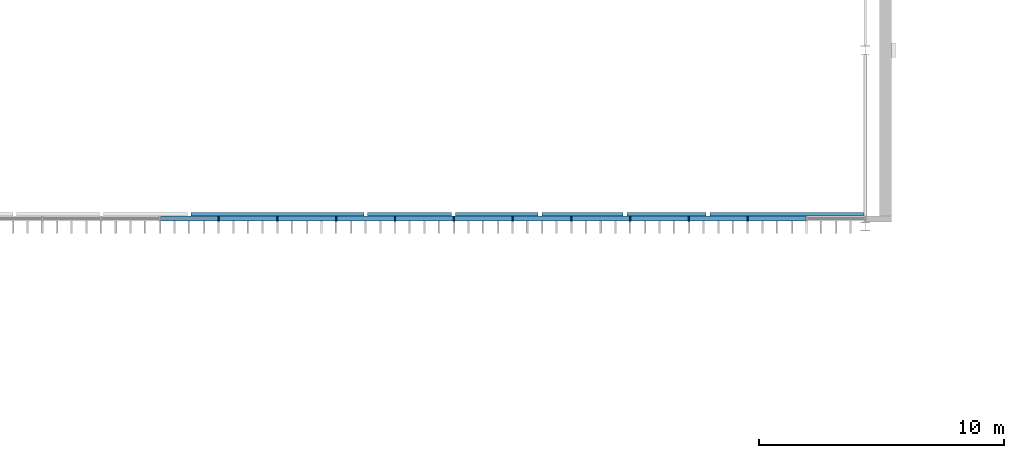
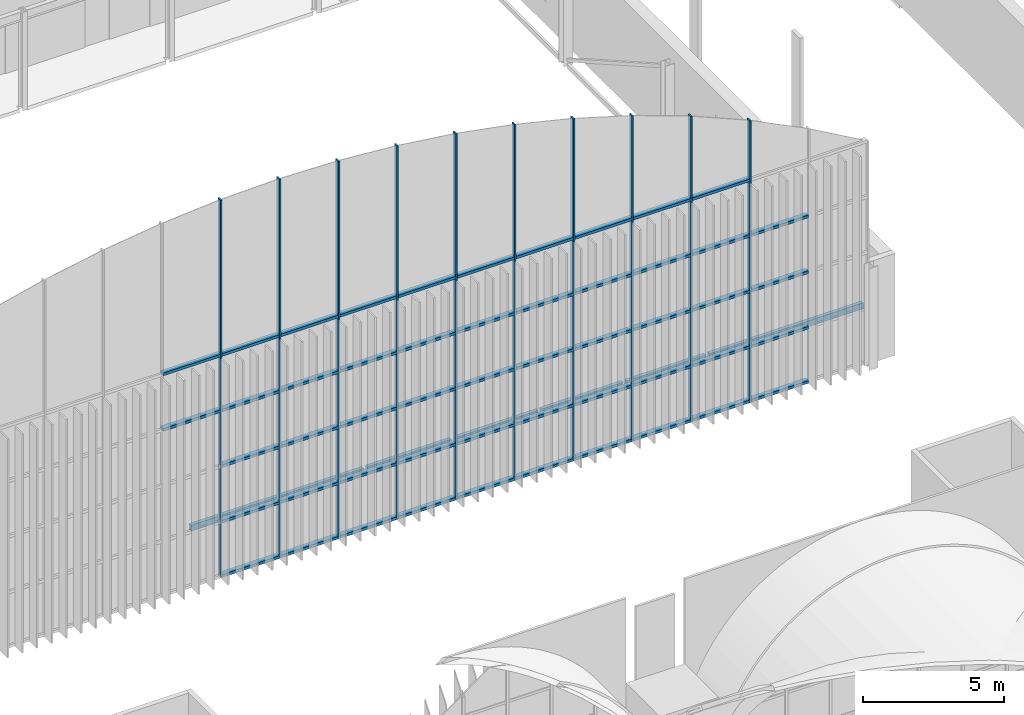
# One storey, part 44 of 169: 61 members, 6 beams, 1 element without a shape of its own.
"""IFC4 building model written with IfcOpenShell, lengths in metres."""

import ifcopenshell
import ifcopenshell.guid

model = None  # the IFC model being written
_history = None  # IfcOwnerHistory: only IFC2X3 demands one
_inside = {}  # id of a spatial element -> (the spatial element, [elements in it])
_under = {}  # id of a project, library or spatial element -> (it, [spatial elements below it])
_declared = {}  # id of a project -> (the project, [libraries it declares])
_typed = {}  # id of a type object -> (the type object, [elements of that type])
_made_of = {}  # id of a material, layer set ... -> (it, [elements and type objects made of it])


def new_model(schema):
    """Start an empty IFC model of exactly this schema.

    Asked for "IFC4X3", IfcOpenShell would pick the latest addendum, in which some entities
    have other attributes; the version numbers below select the first issue.
    IFC2X3 requires an IfcOwnerHistory on every rooted entity: one is made here for all.
    """
    global model, _history
    if schema == "IFC4X3":
        model = ifcopenshell.file(schema_version=(4, 3, 0, 0))
    else:
        model = ifcopenshell.file(schema=schema)
    _inside.clear()
    _under.clear()
    _declared.clear()
    _typed.clear()
    _made_of.clear()
    _history = None
    if model.schema == "IFC2X3":
        org = make("IfcOrganization", Name="unknown")
        user = make(
            "IfcPersonAndOrganization",
            ThePerson=make("IfcPerson", FamilyName="unknown"),
            TheOrganization=org,
        )
        app = make(
            "IfcApplication",
            ApplicationDeveloper=org,
            Version="unknown",
            ApplicationFullName="unknown",
            ApplicationIdentifier="unknown",
        )
        _history = make(
            "IfcOwnerHistory",
            OwningUser=user,
            OwningApplication=app,
            ChangeAction="ADDED",
            CreationDate=0,
        )
    return model


def make(cls, **values):
    """One entity of the class cls with the attributes given. An attribute that is None is left unset."""
    return model.create_entity(
        cls, **{name: value for name, value in values.items() if value is not None}
    )


def rooted(cls, **values):
    """An entity with a GlobalId (a new one), such as an element, a storey or a relation."""
    return make(cls, GlobalId=ifcopenshell.guid.new(), OwnerHistory=_history, **values)


def si_unit(unit_type, name, prefix=None):
    """IfcSIUnit, for example si_unit("LENGTHUNIT", "METRE", prefix="MILLI")."""
    return make("IfcSIUnit", UnitType=unit_type, Prefix=prefix, Name=name)


def assignment(units):
    """IfcUnitAssignment: the units of a project."""
    return None if units is None else make("IfcUnitAssignment", Units=units)


def point(xyz):
    """IfcCartesianPoint."""
    return None if xyz is None else make("IfcCartesianPoint", Coordinates=xyz)


def direction(xyz):
    """IfcDirection."""
    return None if xyz is None else make("IfcDirection", DirectionRatios=xyz)


def frame(location, z_axis=None, x_axis=None):
    """IfcAxis2Placement3D, a coordinate frame: its origin and axes. An axis left out is left unset."""
    return make(
        "IfcAxis2Placement3D",
        Location=point(location),
        Axis=direction(z_axis),
        RefDirection=direction(x_axis),
    )


def frame_2d(location, x_axis=None):
    """IfcAxis2Placement2D, a coordinate frame in the plane: its origin and x axis."""
    return make(
        "IfcAxis2Placement2D", Location=point(location), RefDirection=direction(x_axis)
    )


def origin():
    """The frame at (0, 0, 0) with its axes left unset."""
    return frame((0.0, 0.0, 0.0))


def origin_2d():
    """The frame at (0, 0) in the plane with its x axis left unset."""
    return frame_2d((0.0, 0.0))


def place(relative_to, where):
    """IfcLocalPlacement: puts the frame where relative to a parent placement (None: the world)."""
    return make(
        "IfcLocalPlacement", PlacementRelTo=relative_to, RelativePlacement=where
    )


def context(
    kind, dimensions, precision=None, world=None, true_north=None, identifier=None
):
    """IfcGeometricRepresentationContext, for example the 3D "Model" context."""
    return make(
        "IfcGeometricRepresentationContext",
        ContextIdentifier=identifier,
        ContextType=kind,
        CoordinateSpaceDimension=dimensions,
        Precision=precision,
        WorldCoordinateSystem=world,
        TrueNorth=true_north,
    )


def subcontext(parent, identifier, kind, view, scale=None):
    """IfcGeometricRepresentationSubContext, for example "Body" below "Model"."""
    return make(
        "IfcGeometricRepresentationSubContext",
        ContextIdentifier=identifier,
        ContextType=kind,
        ParentContext=parent,
        TargetScale=scale,
        TargetView=view,
    )


def project(units=None, contexts=None):
    """IfcProject with its units and contexts."""
    return rooted(
        "IfcProject",
        Name="project",
        RepresentationContexts=contexts,
        UnitsInContext=assignment(units),
    )


def spatial(cls, under=None, at=None, **own):
    """A site, building, storey or space (cls), placed at a placement, below another one or the project."""
    s = rooted(cls, ObjectPlacement=at, **own)
    if under is not None:
        _under.setdefault(under.id(), (under, []))[1].append(s)
    return s


def profile(cls, at=None, kind="AREA", **sizes):
    """A parametric profile (cls). Its sizes go by their IFC names, for example OverallWidth=200.0."""
    return make(cls, ProfileType=kind, Position=at, **sizes)


def rectangle(**sizes):
    """IfcRectangleProfileDef."""
    return profile("IfcRectangleProfileDef", **sizes)


def hollow_rectangle(**sizes):
    """IfcRectangleHollowProfileDef."""
    return profile("IfcRectangleHollowProfileDef", **sizes)


def extrude(swept, where, along, depth):
    """IfcExtrudedAreaSolid: the profile swept, set in the frame where, extruded along a direction by depth."""
    return make(
        "IfcExtrudedAreaSolid",
        SweptArea=swept,
        Position=where,
        ExtrudedDirection=direction(along),
        Depth=depth,
    )


def shape(context_of_items, identifier, shape_type, items):
    """IfcShapeRepresentation: the items that make up one representation, for example the "Body"."""
    return make(
        "IfcShapeRepresentation",
        ContextOfItems=context_of_items,
        RepresentationIdentifier=identifier,
        RepresentationType=shape_type,
        Items=items,
    )


def material(Name=None, Category=None):
    """IfcMaterial."""
    return make("IfcMaterial", Name=Name, Category=Category)


def layer(
    of_material, thickness, ventilated=None, Name=None, Category=None, Priority=None
):
    """IfcMaterialLayer: one layer of a wall or slab, of a material (None: an air gap)."""
    return make(
        "IfcMaterialLayer",
        Material=of_material,
        LayerThickness=thickness,
        IsVentilated=ventilated,
        Name=Name,
        Category=Category,
        Priority=Priority,
    )


def layer_set(layers, Name=None):
    """IfcMaterialLayerSet."""
    return make("IfcMaterialLayerSet", MaterialLayers=layers, LayerSetName=Name)


def material_profile(
    of_material, cross_section, Name=None, Category=None, Priority=None
):
    """IfcMaterialProfile: a cross section and its material."""
    return make(
        "IfcMaterialProfile",
        Name=Name,
        Material=of_material,
        Profile=cross_section,
        Priority=Priority,
        Category=Category,
    )


def profile_set(profiles, Name=None, composite=None):
    """IfcMaterialProfileSet."""
    return make(
        "IfcMaterialProfileSet",
        Name=Name,
        MaterialProfiles=profiles,
        CompositeProfile=composite,
    )


def made_of(thing, what):
    """Note that an element or type object is made of a material, layer set ...; save() writes the relation."""
    if what is not None:
        _made_of.setdefault(what.id(), (what, []))[1].append(thing)
    return thing


def type_object(cls, material=None, **own):
    """A type object (cls), such as IfcWallType, which elements share."""
    return made_of(rooted(cls, **own), material)


def element(
    cls,
    number,
    at=None,
    inside=None,
    cuts=None,
    type_object=None,
    material=None,
    context=None,
    identifier="Body",
    shape_type=None,
    held_by="IfcProductDefinitionShape",
    body=None,
    shapes=None,
    **own,
):
    """One element of the class cls, such as IfcWall. Its Tag is "e" and its number.

    at: its placement. inside: the storey or other place that contains it. cuts: it is an
    opening in that element (IfcRelVoidsElement). A single representation is given by context,
    identifier, shape_type and body (its items); several are given by shapes. held_by: the class
    of the entity that holds the representations. save() writes the other relations.
    """
    e = rooted(cls, Tag="e%d" % number, ObjectPlacement=at, **own)
    if body is not None:
        shapes = [shape(context, identifier, shape_type, body)]
    if shapes is not None:
        e.Representation = make(held_by, Representations=shapes)
    if inside is not None:
        _inside.setdefault(inside.id(), (inside, []))[1].append(e)
    if cuts is not None:
        rooted(
            "IfcRelVoidsElement", RelatingBuildingElement=cuts, RelatedOpeningElement=e
        )
    if type_object is not None:
        _typed.setdefault(type_object.id(), (type_object, []))[1].append(e)
    return made_of(e, material)


def aggregate(whole, parts):
    """IfcRelAggregates: a whole, such as a stair, and the parts it consists of."""
    return rooted("IfcRelAggregates", RelatingObject=whole, RelatedObjects=parts)


def save(model, path):
    """Write the relations noted so far, then the file.

    IfcRelAggregates (storeys below a building ...), IfcRelContainedInSpatialStructure (elements
    in a storey), IfcRelDefinesByType, IfcRelAssociatesMaterial and IfcRelDeclares: one each for
    every whole, place, type object, material and project.
    """
    for whole, parts in _under.values():
        aggregate(whole, parts)
    for where, things in _inside.values():
        rooted(
            "IfcRelContainedInSpatialStructure",
            RelatedElements=things,
            RelatingStructure=where,
        )
    for kind, things in _typed.values():
        rooted("IfcRelDefinesByType", RelatedObjects=things, RelatingType=kind)
    for what, things in _made_of.values():
        rooted("IfcRelAssociatesMaterial", RelatedObjects=things, RelatingMaterial=what)
    for by, libraries in _declared.values():
        rooted("IfcRelDeclares", RelatingContext=by, RelatedDefinitions=libraries)
    model.write(path)


model = new_model("IFC4")

# Units and contexts
model_context = context("Model", 3, precision=1e-05, world=origin(), true_north=direction((0.0, 1.0)))
body_context = subcontext(model_context, "Body", "Model", "MODEL_VIEW")
ifc_project = project(units=[si_unit("LENGTHUNIT", "METRE"), si_unit("AREAUNIT", "SQUARE_METRE"), si_unit("VOLUMEUNIT", "CUBIC_METRE"), si_unit("PLANEANGLEUNIT", "RADIAN"), si_unit("MASSUNIT", "GRAM", prefix="KILO")], contexts=[model_context])

# Site, building, storey
site_placement = place(None, origin())
site = spatial("IfcSite", under=ifc_project, at=site_placement, CompositionType="ELEMENT")
building_placement = place(site_placement, origin())
building = spatial("IfcBuilding", under=site, at=building_placement, Name="Verrick Yard Athletic Hall", CompositionType="ELEMENT")
storey_placement = place(building_placement, frame((0.0, 0.0, 4.39990234375)))
storey = spatial("IfcBuildingStorey", under=building, at=storey_placement, Name="L01", CompositionType="ELEMENT", Elevation=4.39990234375)

# Curtain wall, members
ifc_material_1 = material(Name="Anodised aluminium", Category="aluminium")
ifc_layer = layer(ifc_material_1, 0.199951171875)
ifc_layer_set = layer_set([ifc_layer], Name="Gable glazing")
curtain_wall_type = type_object("IfcCurtainWallType", Name="Gable glazing", PredefinedType="NOTDEFINED", material=ifc_layer_set)
curtain_wall_placement = place(storey_placement, origin())
curtain_wall = element("IfcCurtainWall", 1, at=curtain_wall_placement, inside=storey, type_object=curtain_wall_type, Name="Gable curtain wall BS", PredefinedType="NOTDEFINED")
ifc_material_profile_1 = material_profile(ifc_material_1, rectangle(XDim=0.199951171875, YDim=0.06005859375, at=origin_2d()), Name="CW gable mullion 60x200")
ifc_profile_set_1 = profile_set([ifc_material_profile_1], Name="Anodised aluminium")
member_type_1 = type_object("IfcMemberType", Name="Gable glazing mullion 60x200", PredefinedType="MULLION", material=ifc_profile_set_1)
member_1_placement = place(storey_placement, frame((49.60009765625, 72.318359375, 0.0), z_axis=(0.0, 0.0, 1.0), x_axis=(0.0, 1.0, 0.0)))
member_1 = element("IfcMember", 2, at=member_1_placement, type_object=member_type_1, Name="ENVB-HBS-CW/M09", PredefinedType="MULLION", context=body_context, shape_type="SweptSolid", body=[
    extrude(rectangle(XDim=0.199951171875, YDim=0.06005859375, at=origin_2d()), origin(), (0.0, 0.0, 1.0), 16.294677734375),
])
member_2_placement = place(storey_placement, frame((52.0, 72.318359375, 0.0), z_axis=(0.0, 0.0, 1.0), x_axis=(0.0, 1.0, 0.0)))
member_2 = element("IfcMember", 3, at=member_2_placement, type_object=member_type_1, Name="ENVB-HBS-CW/M10", PredefinedType="MULLION", context=body_context, shape_type="SweptSolid", body=[
    extrude(rectangle(XDim=0.199951171875, YDim=0.06005859375, at=origin_2d()), origin(), (0.0, 0.0, 1.0), 16.357177734375),
])
member_3_placement = place(storey_placement, frame((54.39990234375, 72.318359375, 0.0), z_axis=(0.0, 0.0, 1.0), x_axis=(0.0, 1.0, 0.0)))
member_3 = element("IfcMember", 4, at=member_3_placement, type_object=member_type_1, Name="ENVB-HBS-CW/M11", PredefinedType="MULLION", context=body_context, shape_type="SweptSolid", body=[
    extrude(rectangle(XDim=0.199951171875, YDim=0.06005859375, at=origin_2d()), origin(), (0.0, 0.0, 1.0), 16.294677734375),
])
member_4_placement = place(storey_placement, frame((56.800048828125, 72.318359375, 0.0), z_axis=(0.0, 0.0, 1.0), x_axis=(0.0, 1.0, 0.0)))
member_4 = element("IfcMember", 5, at=member_4_placement, type_object=member_type_1, Name="ENVB-HBS-CW/M12", PredefinedType="MULLION", context=body_context, shape_type="SweptSolid", body=[
    extrude(rectangle(XDim=0.199951171875, YDim=0.06005859375, at=origin_2d()), origin(), (0.0, 0.0, 1.0), 16.106201171875),
])
member_5_placement = place(storey_placement, frame((59.199951171875, 72.318359375, 0.0), z_axis=(0.0, 0.0, 1.0), x_axis=(0.0, 1.0, 0.0)))
member_5 = element("IfcMember", 6, at=member_5_placement, type_object=member_type_1, Name="ENVB-HBS-CW/M13", PredefinedType="MULLION", context=body_context, shape_type="SweptSolid", body=[
    extrude(rectangle(XDim=0.199951171875, YDim=0.06005859375, at=origin_2d()), origin(), (0.0, 0.0, 1.0), 15.790283203125),
])
member_6_placement = place(storey_placement, frame((61.60009765625, 72.318359375, 0.0), z_axis=(0.0, 0.0, 1.0), x_axis=(0.0, 1.0, 0.0)))
member_6 = element("IfcMember", 7, at=member_6_placement, type_object=member_type_1, Name="ENVB-HBS-CW/M14", PredefinedType="MULLION", context=body_context, shape_type="SweptSolid", body=[
    extrude(rectangle(XDim=0.199951171875, YDim=0.06005859375, at=origin_2d()), origin(), (0.0, 0.0, 1.0), 15.344482421875),
])
member_7_placement = place(storey_placement, frame((64.0, 72.318359375, 0.0), z_axis=(0.0, 0.0, 1.0), x_axis=(0.0, 1.0, 0.0)))
member_7 = element("IfcMember", 8, at=member_7_placement, type_object=member_type_1, Name="ENVB-HBS-CW/M15", PredefinedType="MULLION", context=body_context, shape_type="SweptSolid", body=[
    extrude(rectangle(XDim=0.199951171875, YDim=0.06005859375, at=origin_2d()), origin(), (0.0, 0.0, 1.0), 14.764404296875),
])
member_8_placement = place(storey_placement, frame((66.39990234375, 72.318359375, 0.0), z_axis=(0.0, 0.0, 1.0), x_axis=(0.0, 1.0, 0.0)))
member_8 = element("IfcMember", 9, at=member_8_placement, type_object=member_type_1, Name="ENVB-HBS-CW/M16", PredefinedType="MULLION", context=body_context, shape_type="SweptSolid", body=[
    extrude(rectangle(XDim=0.199951171875, YDim=0.06005859375, at=origin_2d()), origin(), (0.0, 0.0, 1.0), 14.045166015625),
])
member_9_placement = place(storey_placement, frame((68.800048828125, 72.318359375, 0.0), z_axis=(0.0, 0.0, 1.0), x_axis=(0.0, 1.0, 0.0)))
member_9 = element("IfcMember", 10, at=member_9_placement, type_object=member_type_1, Name="ENVB-HBS-CW/M17", PredefinedType="MULLION", context=body_context, shape_type="SweptSolid", body=[
    extrude(rectangle(XDim=0.199951171875, YDim=0.06005859375, at=origin_2d()), origin(), (0.0, 0.0, 1.0), 13.1796875),
])
member_10_placement = place(storey_placement, frame((71.199951171875, 72.318359375, 0.0), z_axis=(0.0, 0.0, 1.0), x_axis=(0.0, 1.0, 0.0)))
member_10 = element("IfcMember", 11, at=member_10_placement, type_object=member_type_1, Name="ENVB-HBS-CW/M18", PredefinedType="MULLION", context=body_context, shape_type="SweptSolid", body=[
    extrude(rectangle(XDim=0.199951171875, YDim=0.06005859375, at=origin_2d()), origin(), (0.0, 0.0, 1.0), 12.15869140625),
])
ifc_material_profile_2 = material_profile(ifc_material_1, rectangle(XDim=0.199951171875, YDim=0.1201171875, at=origin_2d()), Name="CW gable transom 200x120")
ifc_profile_set_2 = profile_set([ifc_material_profile_2], Name="Anodised aluminium")
member_type_2 = type_object("IfcMemberType", Name="Gable glazing transom 200x120", PredefinedType="USERDEFINED", material=ifc_profile_set_2)
member_11_placement = place(storey_placement, frame((47.22998046875, 72.318359375, 7.2001953125), z_axis=(1.0, 0.0, 0.0), x_axis=(0.0, 1.0, 0.0)))
member_11 = element("IfcMember", 12, at=member_11_placement, type_object=member_type_2, Name="ENVB-HBS-CW/T08-03", ObjectType="TRANSOM", PredefinedType="USERDEFINED", context=body_context, shape_type="SweptSolid", body=[
    extrude(rectangle(XDim=0.199951171875, YDim=0.1201171875, at=origin_2d()), origin(), (0.0, 0.0, 1.0), 2.340087890625),
])
member_12_placement = place(storey_placement, frame((47.22998046875, 72.318359375, 9.60009765625), z_axis=(1.0, 0.0, 0.0), x_axis=(0.0, 1.0, 0.0)))
member_12 = element("IfcMember", 13, at=member_12_placement, type_object=member_type_2, Name="ENVB-HBS-CW/T08-04", ObjectType="TRANSOM", PredefinedType="USERDEFINED", context=body_context, shape_type="SweptSolid", body=[
    extrude(rectangle(XDim=0.199951171875, YDim=0.1201171875, at=origin_2d()), origin(), (0.0, 0.0, 1.0), 2.340087890625),
])
member_13_placement = place(storey_placement, frame((49.6298828125, 72.318359375, 0.06005859375), z_axis=(1.0, 0.0, 0.0), x_axis=(0.0, 1.0, 0.0)))
member_13 = element("IfcMember", 14, at=member_13_placement, type_object=member_type_2, Name="ENVB-HBS-CW/T09-00", ObjectType="TRANSOM", PredefinedType="USERDEFINED", context=body_context, shape_type="SweptSolid", body=[
    extrude(rectangle(XDim=0.199951171875, YDim=0.1201171875, at=origin_2d()), origin(), (0.0, 0.0, 1.0), 2.340087890625),
])
member_14_placement = place(storey_placement, frame((49.6298828125, 72.318359375, 2.400146484375), z_axis=(1.0, 0.0, 0.0), x_axis=(0.0, 1.0, 0.0)))
member_14 = element("IfcMember", 15, at=member_14_placement, type_object=member_type_2, Name="ENVB-HBS-CW/T09-01", ObjectType="TRANSOM", PredefinedType="USERDEFINED", context=body_context, shape_type="SweptSolid", body=[
    extrude(rectangle(XDim=0.199951171875, YDim=0.1201171875, at=origin_2d()), origin(), (0.0, 0.0, 1.0), 2.340087890625),
])
member_15_placement = place(storey_placement, frame((49.6298828125, 72.318359375, 4.800048828125), z_axis=(1.0, 0.0, 0.0), x_axis=(0.0, 1.0, 0.0)))
member_15 = element("IfcMember", 16, at=member_15_placement, type_object=member_type_2, Name="ENVB-HBS-CW/T09-02", ObjectType="TRANSOM", PredefinedType="USERDEFINED", context=body_context, shape_type="SweptSolid", body=[
    extrude(rectangle(XDim=0.199951171875, YDim=0.1201171875, at=origin_2d()), origin(), (0.0, 0.0, 1.0), 2.340087890625),
])
member_16_placement = place(storey_placement, frame((49.6298828125, 72.318359375, 7.2001953125), z_axis=(1.0, 0.0, 0.0), x_axis=(0.0, 1.0, 0.0)))
member_16 = element("IfcMember", 17, at=member_16_placement, type_object=member_type_2, Name="ENVB-HBS-CW/T09-03", ObjectType="TRANSOM", PredefinedType="USERDEFINED", context=body_context, shape_type="SweptSolid", body=[
    extrude(rectangle(XDim=0.199951171875, YDim=0.1201171875, at=origin_2d()), origin(), (0.0, 0.0, 1.0), 2.340087890625),
])
member_17_placement = place(storey_placement, frame((49.6298828125, 72.318359375, 9.60009765625), z_axis=(1.0, 0.0, 0.0), x_axis=(0.0, 1.0, 0.0)))
member_17 = element("IfcMember", 18, at=member_17_placement, type_object=member_type_2, Name="ENVB-HBS-CW/T09-04", ObjectType="TRANSOM", PredefinedType="USERDEFINED", context=body_context, shape_type="SweptSolid", body=[
    extrude(rectangle(XDim=0.199951171875, YDim=0.1201171875, at=origin_2d()), origin(), (0.0, 0.0, 1.0), 2.340087890625),
])
member_18_placement = place(storey_placement, frame((52.030029296875, 72.318359375, 0.06005859375), z_axis=(1.0, 0.0, 0.0), x_axis=(0.0, 1.0, 0.0)))
member_18 = element("IfcMember", 19, at=member_18_placement, type_object=member_type_2, Name="ENVB-HBS-CW/T10-00", ObjectType="TRANSOM", PredefinedType="USERDEFINED", context=body_context, shape_type="SweptSolid", body=[
    extrude(rectangle(XDim=0.199951171875, YDim=0.1201171875, at=origin_2d()), origin(), (0.0, 0.0, 1.0), 2.340087890625),
])
member_19_placement = place(storey_placement, frame((52.030029296875, 72.318359375, 2.400146484375), z_axis=(1.0, 0.0, 0.0), x_axis=(0.0, 1.0, 0.0)))
member_19 = element("IfcMember", 20, at=member_19_placement, type_object=member_type_2, Name="ENVB-HBS-CW/T10-01", ObjectType="TRANSOM", PredefinedType="USERDEFINED", context=body_context, shape_type="SweptSolid", body=[
    extrude(rectangle(XDim=0.199951171875, YDim=0.1201171875, at=origin_2d()), origin(), (0.0, 0.0, 1.0), 2.340087890625),
])
member_20_placement = place(storey_placement, frame((52.030029296875, 72.318359375, 4.800048828125), z_axis=(1.0, 0.0, 0.0), x_axis=(0.0, 1.0, 0.0)))
member_20 = element("IfcMember", 21, at=member_20_placement, type_object=member_type_2, Name="ENVB-HBS-CW/T10-02", ObjectType="TRANSOM", PredefinedType="USERDEFINED", context=body_context, shape_type="SweptSolid", body=[
    extrude(rectangle(XDim=0.199951171875, YDim=0.1201171875, at=origin_2d()), origin(), (0.0, 0.0, 1.0), 2.340087890625),
])
member_21_placement = place(storey_placement, frame((52.030029296875, 72.318359375, 7.2001953125), z_axis=(1.0, 0.0, 0.0), x_axis=(0.0, 1.0, 0.0)))
member_21 = element("IfcMember", 22, at=member_21_placement, type_object=member_type_2, Name="ENVB-HBS-CW/T10-03", ObjectType="TRANSOM", PredefinedType="USERDEFINED", context=body_context, shape_type="SweptSolid", body=[
    extrude(rectangle(XDim=0.199951171875, YDim=0.1201171875, at=origin_2d()), origin(), (0.0, 0.0, 1.0), 2.340087890625),
])
member_22_placement = place(storey_placement, frame((52.030029296875, 72.318359375, 9.60009765625), z_axis=(1.0, 0.0, 0.0), x_axis=(0.0, 1.0, 0.0)))
member_22 = element("IfcMember", 23, at=member_22_placement, type_object=member_type_2, Name="ENVB-HBS-CW/T10-04", ObjectType="TRANSOM", PredefinedType="USERDEFINED", context=body_context, shape_type="SweptSolid", body=[
    extrude(rectangle(XDim=0.199951171875, YDim=0.1201171875, at=origin_2d()), origin(), (0.0, 0.0, 1.0), 2.340087890625),
])
member_23_placement = place(storey_placement, frame((54.429931640625, 72.318359375, 0.06005859375), z_axis=(1.0, 0.0, 0.0), x_axis=(0.0, 1.0, 0.0)))
member_23 = element("IfcMember", 24, at=member_23_placement, type_object=member_type_2, Name="ENVB-HBS-CW/T11-00", ObjectType="TRANSOM", PredefinedType="USERDEFINED", context=body_context, shape_type="SweptSolid", body=[
    extrude(rectangle(XDim=0.199951171875, YDim=0.1201171875, at=origin_2d()), origin(), (0.0, 0.0, 1.0), 2.340087890625),
])
member_24_placement = place(storey_placement, frame((54.429931640625, 72.318359375, 2.400146484375), z_axis=(1.0, 0.0, 0.0), x_axis=(0.0, 1.0, 0.0)))
member_24 = element("IfcMember", 25, at=member_24_placement, type_object=member_type_2, Name="ENVB-HBS-CW/T11-01", ObjectType="TRANSOM", PredefinedType="USERDEFINED", context=body_context, shape_type="SweptSolid", body=[
    extrude(rectangle(XDim=0.199951171875, YDim=0.1201171875, at=origin_2d()), origin(), (0.0, 0.0, 1.0), 2.340087890625),
])
member_25_placement = place(storey_placement, frame((54.429931640625, 72.318359375, 4.800048828125), z_axis=(1.0, 0.0, 0.0), x_axis=(0.0, 1.0, 0.0)))
member_25 = element("IfcMember", 26, at=member_25_placement, type_object=member_type_2, Name="ENVB-HBS-CW/T11-02", ObjectType="TRANSOM", PredefinedType="USERDEFINED", context=body_context, shape_type="SweptSolid", body=[
    extrude(rectangle(XDim=0.199951171875, YDim=0.1201171875, at=origin_2d()), origin(), (0.0, 0.0, 1.0), 2.340087890625),
])
member_26_placement = place(storey_placement, frame((54.429931640625, 72.318359375, 7.2001953125), z_axis=(1.0, 0.0, 0.0), x_axis=(0.0, 1.0, 0.0)))
member_26 = element("IfcMember", 27, at=member_26_placement, type_object=member_type_2, Name="ENVB-HBS-CW/T11-03", ObjectType="TRANSOM", PredefinedType="USERDEFINED", context=body_context, shape_type="SweptSolid", body=[
    extrude(rectangle(XDim=0.199951171875, YDim=0.1201171875, at=origin_2d()), origin(), (0.0, 0.0, 1.0), 2.340087890625),
])
member_27_placement = place(storey_placement, frame((54.429931640625, 72.318359375, 9.60009765625), z_axis=(1.0, 0.0, 0.0), x_axis=(0.0, 1.0, 0.0)))
member_27 = element("IfcMember", 28, at=member_27_placement, type_object=member_type_2, Name="ENVB-HBS-CW/T11-04", ObjectType="TRANSOM", PredefinedType="USERDEFINED", context=body_context, shape_type="SweptSolid", body=[
    extrude(rectangle(XDim=0.199951171875, YDim=0.1201171875, at=origin_2d()), origin(), (0.0, 0.0, 1.0), 2.340087890625),
])
member_28_placement = place(storey_placement, frame((56.830078125, 72.318359375, 0.06005859375), z_axis=(1.0, 0.0, 0.0), x_axis=(0.0, 1.0, 0.0)))
member_28 = element("IfcMember", 29, at=member_28_placement, type_object=member_type_2, Name="ENVB-HBS-CW/T12-00", ObjectType="TRANSOM", PredefinedType="USERDEFINED", context=body_context, shape_type="SweptSolid", body=[
    extrude(rectangle(XDim=0.199951171875, YDim=0.1201171875, at=origin_2d()), origin(), (0.0, 0.0, 1.0), 2.33984375),
])
member_29_placement = place(storey_placement, frame((56.830078125, 72.318359375, 2.400146484375), z_axis=(1.0, 0.0, 0.0), x_axis=(0.0, 1.0, 0.0)))
member_29 = element("IfcMember", 30, at=member_29_placement, type_object=member_type_2, Name="ENVB-HBS-CW/T12-01", ObjectType="TRANSOM", PredefinedType="USERDEFINED", context=body_context, shape_type="SweptSolid", body=[
    extrude(rectangle(XDim=0.199951171875, YDim=0.1201171875, at=origin_2d()), origin(), (0.0, 0.0, 1.0), 2.33984375),
])
member_30_placement = place(storey_placement, frame((56.830078125, 72.318359375, 4.800048828125), z_axis=(1.0, 0.0, 0.0), x_axis=(0.0, 1.0, 0.0)))
member_30 = element("IfcMember", 31, at=member_30_placement, type_object=member_type_2, Name="ENVB-HBS-CW/T12-02", ObjectType="TRANSOM", PredefinedType="USERDEFINED", context=body_context, shape_type="SweptSolid", body=[
    extrude(rectangle(XDim=0.199951171875, YDim=0.1201171875, at=origin_2d()), origin(), (0.0, 0.0, 1.0), 2.33984375),
])
member_31_placement = place(storey_placement, frame((56.830078125, 72.318359375, 7.2001953125), z_axis=(1.0, 0.0, 0.0), x_axis=(0.0, 1.0, 0.0)))
member_31 = element("IfcMember", 32, at=member_31_placement, type_object=member_type_2, Name="ENVB-HBS-CW/T12-03", ObjectType="TRANSOM", PredefinedType="USERDEFINED", context=body_context, shape_type="SweptSolid", body=[
    extrude(rectangle(XDim=0.199951171875, YDim=0.1201171875, at=origin_2d()), origin(), (0.0, 0.0, 1.0), 2.33984375),
])
member_32_placement = place(storey_placement, frame((56.830078125, 72.318359375, 9.60009765625), z_axis=(1.0, 0.0, 0.0), x_axis=(0.0, 1.0, 0.0)))
member_32 = element("IfcMember", 33, at=member_32_placement, type_object=member_type_2, Name="ENVB-HBS-CW/T12-04", ObjectType="TRANSOM", PredefinedType="USERDEFINED", context=body_context, shape_type="SweptSolid", body=[
    extrude(rectangle(XDim=0.199951171875, YDim=0.1201171875, at=origin_2d()), origin(), (0.0, 0.0, 1.0), 2.33984375),
])
member_33_placement = place(storey_placement, frame((59.22998046875, 72.318359375, 0.06005859375), z_axis=(1.0, 0.0, 0.0), x_axis=(0.0, 1.0, 0.0)))
member_33 = element("IfcMember", 34, at=member_33_placement, type_object=member_type_2, Name="ENVB-HBS-CW/T13-00", ObjectType="TRANSOM", PredefinedType="USERDEFINED", context=body_context, shape_type="SweptSolid", body=[
    extrude(rectangle(XDim=0.199951171875, YDim=0.1201171875, at=origin_2d()), origin(), (0.0, 0.0, 1.0), 2.340087890625),
])
member_34_placement = place(storey_placement, frame((59.22998046875, 72.318359375, 2.400146484375), z_axis=(1.0, 0.0, 0.0), x_axis=(0.0, 1.0, 0.0)))
member_34 = element("IfcMember", 35, at=member_34_placement, type_object=member_type_2, Name="ENVB-HBS-CW/T13-01", ObjectType="TRANSOM", PredefinedType="USERDEFINED", context=body_context, shape_type="SweptSolid", body=[
    extrude(rectangle(XDim=0.199951171875, YDim=0.1201171875, at=origin_2d()), origin(), (0.0, 0.0, 1.0), 2.340087890625),
])
member_35_placement = place(storey_placement, frame((59.22998046875, 72.318359375, 4.800048828125), z_axis=(1.0, 0.0, 0.0), x_axis=(0.0, 1.0, 0.0)))
member_35 = element("IfcMember", 36, at=member_35_placement, type_object=member_type_2, Name="ENVB-HBS-CW/T13-02", ObjectType="TRANSOM", PredefinedType="USERDEFINED", context=body_context, shape_type="SweptSolid", body=[
    extrude(rectangle(XDim=0.199951171875, YDim=0.1201171875, at=origin_2d()), origin(), (0.0, 0.0, 1.0), 2.340087890625),
])
member_36_placement = place(storey_placement, frame((59.22998046875, 72.318359375, 7.2001953125), z_axis=(1.0, 0.0, 0.0), x_axis=(0.0, 1.0, 0.0)))
member_36 = element("IfcMember", 37, at=member_36_placement, type_object=member_type_2, Name="ENVB-HBS-CW/T13-03", ObjectType="TRANSOM", PredefinedType="USERDEFINED", context=body_context, shape_type="SweptSolid", body=[
    extrude(rectangle(XDim=0.199951171875, YDim=0.1201171875, at=origin_2d()), origin(), (0.0, 0.0, 1.0), 2.340087890625),
])
member_37_placement = place(storey_placement, frame((59.22998046875, 72.318359375, 9.60009765625), z_axis=(1.0, 0.0, 0.0), x_axis=(0.0, 1.0, 0.0)))
member_37 = element("IfcMember", 38, at=member_37_placement, type_object=member_type_2, Name="ENVB-HBS-CW/T13-04", ObjectType="TRANSOM", PredefinedType="USERDEFINED", context=body_context, shape_type="SweptSolid", body=[
    extrude(rectangle(XDim=0.199951171875, YDim=0.1201171875, at=origin_2d()), origin(), (0.0, 0.0, 1.0), 2.340087890625),
])
member_38_placement = place(storey_placement, frame((61.6298828125, 72.318359375, 0.06005859375), z_axis=(1.0, 0.0, 0.0), x_axis=(0.0, 1.0, 0.0)))
member_38 = element("IfcMember", 39, at=member_38_placement, type_object=member_type_2, Name="ENVB-HBS-CW/T14-00", ObjectType="TRANSOM", PredefinedType="USERDEFINED", context=body_context, shape_type="SweptSolid", body=[
    extrude(rectangle(XDim=0.199951171875, YDim=0.1201171875, at=origin_2d()), origin(), (0.0, 0.0, 1.0), 2.340087890625),
])
member_39_placement = place(storey_placement, frame((61.6298828125, 72.318359375, 2.400146484375), z_axis=(1.0, 0.0, 0.0), x_axis=(0.0, 1.0, 0.0)))
member_39 = element("IfcMember", 40, at=member_39_placement, type_object=member_type_2, Name="ENVB-HBS-CW/T14-01", ObjectType="TRANSOM", PredefinedType="USERDEFINED", context=body_context, shape_type="SweptSolid", body=[
    extrude(rectangle(XDim=0.199951171875, YDim=0.1201171875, at=origin_2d()), origin(), (0.0, 0.0, 1.0), 2.340087890625),
])
member_40_placement = place(storey_placement, frame((61.6298828125, 72.318359375, 4.800048828125), z_axis=(1.0, 0.0, 0.0), x_axis=(0.0, 1.0, 0.0)))
member_40 = element("IfcMember", 41, at=member_40_placement, type_object=member_type_2, Name="ENVB-HBS-CW/T14-02", ObjectType="TRANSOM", PredefinedType="USERDEFINED", context=body_context, shape_type="SweptSolid", body=[
    extrude(rectangle(XDim=0.199951171875, YDim=0.1201171875, at=origin_2d()), origin(), (0.0, 0.0, 1.0), 2.340087890625),
])
member_41_placement = place(storey_placement, frame((61.6298828125, 72.318359375, 7.2001953125), z_axis=(1.0, 0.0, 0.0), x_axis=(0.0, 1.0, 0.0)))
member_41 = element("IfcMember", 42, at=member_41_placement, type_object=member_type_2, Name="ENVB-HBS-CW/T14-03", ObjectType="TRANSOM", PredefinedType="USERDEFINED", context=body_context, shape_type="SweptSolid", body=[
    extrude(rectangle(XDim=0.199951171875, YDim=0.1201171875, at=origin_2d()), origin(), (0.0, 0.0, 1.0), 2.340087890625),
])
member_42_placement = place(storey_placement, frame((61.6298828125, 72.318359375, 9.60009765625), z_axis=(1.0, 0.0, 0.0), x_axis=(0.0, 1.0, 0.0)))
member_42 = element("IfcMember", 43, at=member_42_placement, type_object=member_type_2, Name="ENVB-HBS-CW/T14-04", ObjectType="TRANSOM", PredefinedType="USERDEFINED", context=body_context, shape_type="SweptSolid", body=[
    extrude(rectangle(XDim=0.199951171875, YDim=0.1201171875, at=origin_2d()), origin(), (0.0, 0.0, 1.0), 2.340087890625),
])
member_43_placement = place(storey_placement, frame((64.030029296875, 72.318359375, 0.06005859375), z_axis=(1.0, 0.0, 0.0), x_axis=(0.0, 1.0, 0.0)))
member_43 = element("IfcMember", 44, at=member_43_placement, type_object=member_type_2, Name="ENVB-HBS-CW/T15-00", ObjectType="TRANSOM", PredefinedType="USERDEFINED", context=body_context, shape_type="SweptSolid", body=[
    extrude(rectangle(XDim=0.199951171875, YDim=0.1201171875, at=origin_2d()), origin(), (0.0, 0.0, 1.0), 2.340087890625),
])
member_44_placement = place(storey_placement, frame((64.030029296875, 72.318359375, 2.400146484375), z_axis=(1.0, 0.0, 0.0), x_axis=(0.0, 1.0, 0.0)))
member_44 = element("IfcMember", 45, at=member_44_placement, type_object=member_type_2, Name="ENVB-HBS-CW/T15-01", ObjectType="TRANSOM", PredefinedType="USERDEFINED", context=body_context, shape_type="SweptSolid", body=[
    extrude(rectangle(XDim=0.199951171875, YDim=0.1201171875, at=origin_2d()), origin(), (0.0, 0.0, 1.0), 2.340087890625),
])
member_45_placement = place(storey_placement, frame((64.030029296875, 72.318359375, 4.800048828125), z_axis=(1.0, 0.0, 0.0), x_axis=(0.0, 1.0, 0.0)))
member_45 = element("IfcMember", 46, at=member_45_placement, type_object=member_type_2, Name="ENVB-HBS-CW/T15-02", ObjectType="TRANSOM", PredefinedType="USERDEFINED", context=body_context, shape_type="SweptSolid", body=[
    extrude(rectangle(XDim=0.199951171875, YDim=0.1201171875, at=origin_2d()), origin(), (0.0, 0.0, 1.0), 2.340087890625),
])
member_46_placement = place(storey_placement, frame((64.030029296875, 72.318359375, 7.2001953125), z_axis=(1.0, 0.0, 0.0), x_axis=(0.0, 1.0, 0.0)))
member_46 = element("IfcMember", 47, at=member_46_placement, type_object=member_type_2, Name="ENVB-HBS-CW/T15-03", ObjectType="TRANSOM", PredefinedType="USERDEFINED", context=body_context, shape_type="SweptSolid", body=[
    extrude(rectangle(XDim=0.199951171875, YDim=0.1201171875, at=origin_2d()), origin(), (0.0, 0.0, 1.0), 2.340087890625),
])
member_47_placement = place(storey_placement, frame((64.030029296875, 72.318359375, 9.60009765625), z_axis=(1.0, 0.0, 0.0), x_axis=(0.0, 1.0, 0.0)))
member_47 = element("IfcMember", 48, at=member_47_placement, type_object=member_type_2, Name="ENVB-HBS-CW/T15-04", ObjectType="TRANSOM", PredefinedType="USERDEFINED", context=body_context, shape_type="SweptSolid", body=[
    extrude(rectangle(XDim=0.199951171875, YDim=0.1201171875, at=origin_2d()), origin(), (0.0, 0.0, 1.0), 2.340087890625),
])
member_48_placement = place(storey_placement, frame((66.429931640625, 72.318359375, 0.06005859375), z_axis=(1.0, 0.0, 0.0), x_axis=(0.0, 1.0, 0.0)))
member_48 = element("IfcMember", 49, at=member_48_placement, type_object=member_type_2, Name="ENVB-HBS-CW/T16-00", ObjectType="TRANSOM", PredefinedType="USERDEFINED", context=body_context, shape_type="SweptSolid", body=[
    extrude(rectangle(XDim=0.199951171875, YDim=0.1201171875, at=origin_2d()), origin(), (0.0, 0.0, 1.0), 2.340087890625),
])
member_49_placement = place(storey_placement, frame((66.429931640625, 72.318359375, 2.400146484375), z_axis=(1.0, 0.0, 0.0), x_axis=(0.0, 1.0, 0.0)))
member_49 = element("IfcMember", 50, at=member_49_placement, type_object=member_type_2, Name="ENVB-HBS-CW/T16-01", ObjectType="TRANSOM", PredefinedType="USERDEFINED", context=body_context, shape_type="SweptSolid", body=[
    extrude(rectangle(XDim=0.199951171875, YDim=0.1201171875, at=origin_2d()), origin(), (0.0, 0.0, 1.0), 2.340087890625),
])
member_50_placement = place(storey_placement, frame((66.429931640625, 72.318359375, 4.800048828125), z_axis=(1.0, 0.0, 0.0), x_axis=(0.0, 1.0, 0.0)))
member_50 = element("IfcMember", 51, at=member_50_placement, type_object=member_type_2, Name="ENVB-HBS-CW/T16-02", ObjectType="TRANSOM", PredefinedType="USERDEFINED", context=body_context, shape_type="SweptSolid", body=[
    extrude(rectangle(XDim=0.199951171875, YDim=0.1201171875, at=origin_2d()), origin(), (0.0, 0.0, 1.0), 2.340087890625),
])
member_51_placement = place(storey_placement, frame((66.429931640625, 72.318359375, 7.2001953125), z_axis=(1.0, 0.0, 0.0), x_axis=(0.0, 1.0, 0.0)))
member_51 = element("IfcMember", 52, at=member_51_placement, type_object=member_type_2, Name="ENVB-HBS-CW/T16-03", ObjectType="TRANSOM", PredefinedType="USERDEFINED", context=body_context, shape_type="SweptSolid", body=[
    extrude(rectangle(XDim=0.199951171875, YDim=0.1201171875, at=origin_2d()), origin(), (0.0, 0.0, 1.0), 2.340087890625),
])
member_52_placement = place(storey_placement, frame((66.429931640625, 72.318359375, 9.60009765625), z_axis=(1.0, 0.0, 0.0), x_axis=(0.0, 1.0, 0.0)))
member_52 = element("IfcMember", 53, at=member_52_placement, type_object=member_type_2, Name="ENVB-HBS-CW/T16-04", ObjectType="TRANSOM", PredefinedType="USERDEFINED", context=body_context, shape_type="SweptSolid", body=[
    extrude(rectangle(XDim=0.199951171875, YDim=0.1201171875, at=origin_2d()), origin(), (0.0, 0.0, 1.0), 2.340087890625),
])
member_53_placement = place(storey_placement, frame((68.830078125, 72.318359375, 0.06005859375), z_axis=(1.0, 0.0, 0.0), x_axis=(0.0, 1.0, 0.0)))
member_53 = element("IfcMember", 54, at=member_53_placement, type_object=member_type_2, Name="ENVB-HBS-CW/T17-00", ObjectType="TRANSOM", PredefinedType="USERDEFINED", context=body_context, shape_type="SweptSolid", body=[
    extrude(rectangle(XDim=0.199951171875, YDim=0.1201171875, at=origin_2d()), origin(), (0.0, 0.0, 1.0), 2.33984375),
])
member_54_placement = place(storey_placement, frame((68.830078125, 72.318359375, 2.400146484375), z_axis=(1.0, 0.0, 0.0), x_axis=(0.0, 1.0, 0.0)))
member_54 = element("IfcMember", 55, at=member_54_placement, type_object=member_type_2, Name="ENVB-HBS-CW/T17-01", ObjectType="TRANSOM", PredefinedType="USERDEFINED", context=body_context, shape_type="SweptSolid", body=[
    extrude(rectangle(XDim=0.199951171875, YDim=0.1201171875, at=origin_2d()), origin(), (0.0, 0.0, 1.0), 2.33984375),
])
member_55_placement = place(storey_placement, frame((68.830078125, 72.318359375, 4.800048828125), z_axis=(1.0, 0.0, 0.0), x_axis=(0.0, 1.0, 0.0)))
member_55 = element("IfcMember", 56, at=member_55_placement, type_object=member_type_2, Name="ENVB-HBS-CW/T17-02", ObjectType="TRANSOM", PredefinedType="USERDEFINED", context=body_context, shape_type="SweptSolid", body=[
    extrude(rectangle(XDim=0.199951171875, YDim=0.1201171875, at=origin_2d()), origin(), (0.0, 0.0, 1.0), 2.33984375),
])
member_56_placement = place(storey_placement, frame((68.830078125, 72.318359375, 7.2001953125), z_axis=(1.0, 0.0, 0.0), x_axis=(0.0, 1.0, 0.0)))
member_56 = element("IfcMember", 57, at=member_56_placement, type_object=member_type_2, Name="ENVB-HBS-CW/T17-03", ObjectType="TRANSOM", PredefinedType="USERDEFINED", context=body_context, shape_type="SweptSolid", body=[
    extrude(rectangle(XDim=0.199951171875, YDim=0.1201171875, at=origin_2d()), origin(), (0.0, 0.0, 1.0), 2.33984375),
])
member_57_placement = place(storey_placement, frame((68.830078125, 72.318359375, 9.60009765625), z_axis=(1.0, 0.0, 0.0), x_axis=(0.0, 1.0, 0.0)))
member_57 = element("IfcMember", 58, at=member_57_placement, type_object=member_type_2, Name="ENVB-HBS-CW/T17-04", ObjectType="TRANSOM", PredefinedType="USERDEFINED", context=body_context, shape_type="SweptSolid", body=[
    extrude(rectangle(XDim=0.199951171875, YDim=0.1201171875, at=origin_2d()), origin(), (0.0, 0.0, 1.0), 2.33984375),
])
member_58_placement = place(storey_placement, frame((71.22998046875, 72.318359375, 0.06005859375), z_axis=(1.0, 0.0, 0.0), x_axis=(0.0, 1.0, 0.0)))
member_58 = element("IfcMember", 59, at=member_58_placement, type_object=member_type_2, Name="ENVB-HBS-CW/T18-00", ObjectType="TRANSOM", PredefinedType="USERDEFINED", context=body_context, shape_type="SweptSolid", body=[
    extrude(rectangle(XDim=0.199951171875, YDim=0.1201171875, at=origin_2d()), origin(), (0.0, 0.0, 1.0), 2.340087890625),
])
member_59_placement = place(storey_placement, frame((71.22998046875, 72.318359375, 2.400146484375), z_axis=(1.0, 0.0, 0.0), x_axis=(0.0, 1.0, 0.0)))
member_59 = element("IfcMember", 60, at=member_59_placement, type_object=member_type_2, Name="ENVB-HBS-CW/T18-01", ObjectType="TRANSOM", PredefinedType="USERDEFINED", context=body_context, shape_type="SweptSolid", body=[
    extrude(rectangle(XDim=0.199951171875, YDim=0.1201171875, at=origin_2d()), origin(), (0.0, 0.0, 1.0), 2.340087890625),
])
member_60_placement = place(storey_placement, frame((71.22998046875, 72.318359375, 4.800048828125), z_axis=(1.0, 0.0, 0.0), x_axis=(0.0, 1.0, 0.0)))
member_60 = element("IfcMember", 61, at=member_60_placement, type_object=member_type_2, Name="ENVB-HBS-CW/T18-02", ObjectType="TRANSOM", PredefinedType="USERDEFINED", context=body_context, shape_type="SweptSolid", body=[
    extrude(rectangle(XDim=0.199951171875, YDim=0.1201171875, at=origin_2d()), origin(), (0.0, 0.0, 1.0), 2.340087890625),
])
member_61_placement = place(storey_placement, frame((71.22998046875, 72.318359375, 7.2001953125), z_axis=(1.0, 0.0, 0.0), x_axis=(0.0, 1.0, 0.0)))
member_61 = element("IfcMember", 62, at=member_61_placement, type_object=member_type_2, Name="ENVB-HBS-CW/T18-03", ObjectType="TRANSOM", PredefinedType="USERDEFINED", context=body_context, shape_type="SweptSolid", body=[
    extrude(rectangle(XDim=0.199951171875, YDim=0.1201171875, at=origin_2d()), origin(), (0.0, 0.0, 1.0), 2.340087890625),
])
aggregate(curtain_wall, [member_1, member_2, member_3, member_4, member_5, member_6, member_7, member_8, member_9, member_10, member_11, member_12, member_13, member_14, member_15, member_16, member_17, member_18, member_19, member_20, member_21, member_22, member_23, member_24, member_25, member_26, member_27, member_28, member_29, member_30, member_31, member_32, member_33, member_34, member_35, member_36, member_37, member_38, member_39, member_40, member_41, member_42, member_43, member_44, member_45, member_46, member_47, member_48, member_49, member_50, member_51, member_52, member_53, member_54, member_55, member_56, member_57, member_58, member_59, member_60, member_61])

# Beams
ifc_material_2 = material(Name="Structural steel HSS Class C 350W (CSA G40.20/G40.21)", Category="steel")
ifc_material_profile_3 = material_profile(ifc_material_2, hollow_rectangle(XDim=0.15234375, YDim=0.25390625, WallThickness=0.009521484375, at=origin_2d()), Name="HSS254x152x9.5")
ifc_profile_set_3 = profile_set([ifc_material_profile_3], Name="Structural steel HSS Class C 350W (CSA G40.20/G40.21)")
beam_type = type_object("IfcBeamType", Name="HB wind girder HSS254x152x9.5", PredefinedType="BEAM", material=ifc_profile_set_3)
beam_1_placement = place(storey_placement, frame((48.472900390625, 72.49462890625, 2.400146484375), z_axis=(1.0, 0.0, 0.0), x_axis=(0.0, 1.0, 0.0)))
element("IfcBeam", 63, at=beam_1_placement, inside=storey, type_object=beam_type, Name="HB-WG-BS-68-6", PredefinedType="BEAM", context=body_context, shape_type="SweptSolid", body=[
    extrude(hollow_rectangle(XDim=0.15234375, YDim=0.25390625, WallThickness=0.009521484375, at=origin_2d()), origin(), (0.0, 0.0, 1.0), 7.05419921875),
])
beam_2_placement = place(storey_placement, frame((55.679443359375, 72.49462890625, 2.400146484375), z_axis=(1.0, 0.0, 0.0), x_axis=(0.0, 1.0, 0.0)))
element("IfcBeam", 64, at=beam_2_placement, inside=storey, type_object=beam_type, Name="HB-WG-BS-68-7", PredefinedType="BEAM", context=body_context, shape_type="SweptSolid", body=[
    extrude(hollow_rectangle(XDim=0.15234375, YDim=0.25390625, WallThickness=0.009521484375, at=origin_2d()), origin(), (0.0, 0.0, 1.0), 3.4287109375),
])
beam_3_placement = place(storey_placement, frame((59.2607421875, 72.49462890625, 2.400146484375), z_axis=(1.0, 0.0, 0.0), x_axis=(0.0, 1.0, 0.0)))
element("IfcBeam", 65, at=beam_3_placement, inside=storey, type_object=beam_type, Name="HB-WG-BS-68-8", PredefinedType="BEAM", context=body_context, shape_type="SweptSolid", body=[
    extrude(hollow_rectangle(XDim=0.15234375, YDim=0.25390625, WallThickness=0.009521484375, at=origin_2d()), origin(), (0.0, 0.0, 1.0), 3.384521484375),
])
beam_4_placement = place(storey_placement, frame((62.797607421875, 72.49462890625, 2.400146484375), z_axis=(1.0, 0.0, 0.0), x_axis=(0.0, 1.0, 0.0)))
element("IfcBeam", 66, at=beam_4_placement, inside=storey, type_object=beam_type, Name="HB-WG-BS-68-9", PredefinedType="BEAM", context=body_context, shape_type="SweptSolid", body=[
    extrude(hollow_rectangle(XDim=0.15234375, YDim=0.25390625, WallThickness=0.009521484375, at=origin_2d()), origin(), (0.0, 0.0, 1.0), 3.318603515625),
])
beam_5_placement = place(storey_placement, frame((66.268798828125, 72.49462890625, 2.400146484375), z_axis=(1.0, 0.0, 0.0), x_axis=(0.0, 1.0, 0.0)))
element("IfcBeam", 67, at=beam_5_placement, inside=storey, type_object=beam_type, Name="HB-WG-BS-68-10", PredefinedType="BEAM", context=body_context, shape_type="SweptSolid", body=[
    extrude(hollow_rectangle(XDim=0.15234375, YDim=0.25390625, WallThickness=0.009521484375, at=origin_2d()), origin(), (0.0, 0.0, 1.0), 3.2314453125),
])
beam_6_placement = place(storey_placement, frame((69.652587890625, 72.49462890625, 2.400146484375), z_axis=(1.0, 0.0, 0.0), x_axis=(0.0, 1.0, 0.0)))
element("IfcBeam", 68, at=beam_6_placement, inside=storey, type_object=beam_type, Name="HB-WG-BS-68-11", PredefinedType="BEAM", context=body_context, shape_type="SweptSolid", body=[
    extrude(hollow_rectangle(XDim=0.15234375, YDim=0.25390625, WallThickness=0.009521484375, at=origin_2d()), origin(), (0.0, 0.0, 1.0), 6.271240234375),
])

save(model, "model.ifc")
